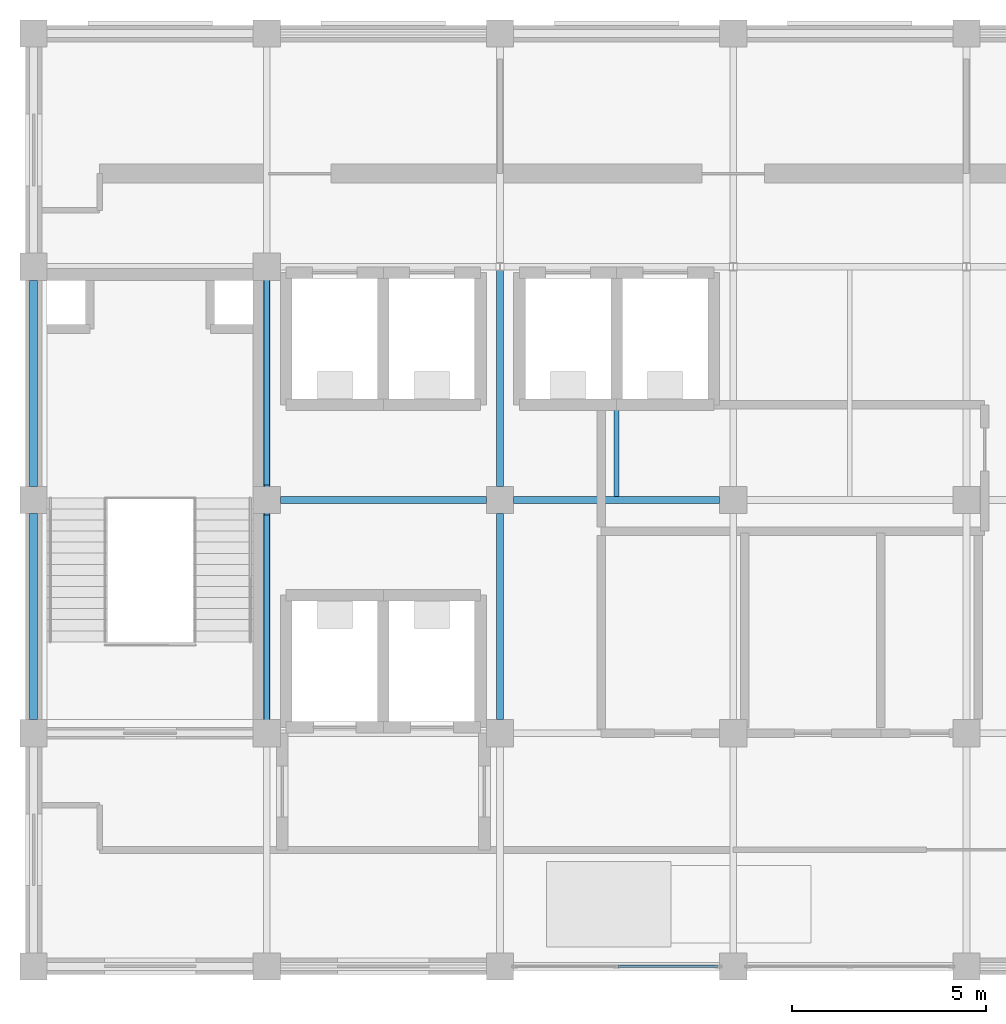
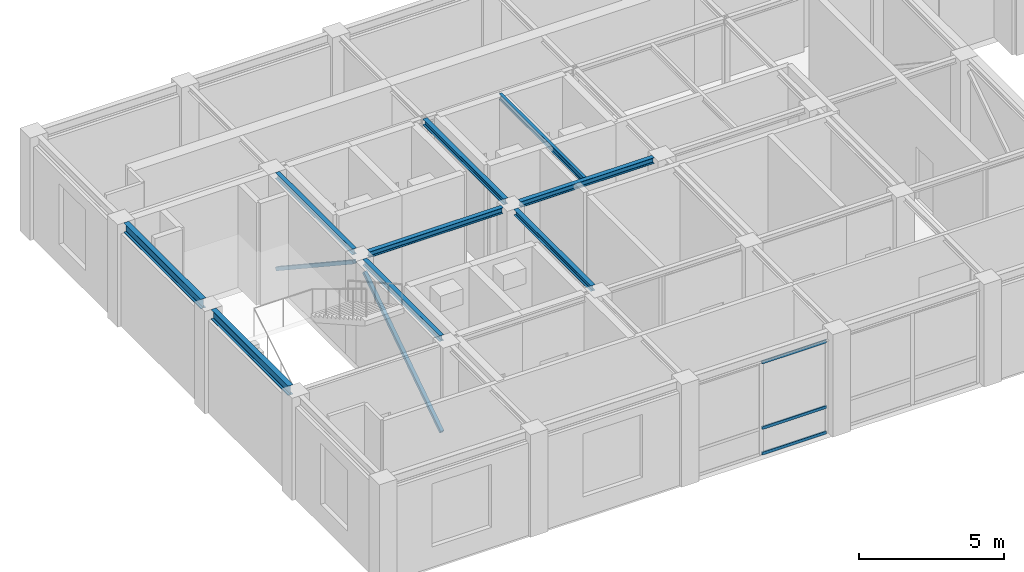
# One storey, part 5 of 11: 9 beams, 5 members, 1 element without a shape of its own.
"""IFC4 building model written with IfcOpenShell, lengths in metres."""

from ifc_helpers import new_model, si_unit, direction, frame, origin, origin_2d, place, context, subcontext, project, spatial, hollow_rectangle, i_section, extrude, material, layer, layer_set, material_profile, profile_set, type_object, element, aggregate, save


model = new_model("IFC4")

# Units and contexts
model_context = context("Model", 3, precision=1e-05, world=origin(), true_north=direction((0.0, 1.0)))
body_context = subcontext(model_context, "Body", "Model", "MODEL_VIEW")
ifc_project = project(units=[si_unit("LENGTHUNIT", "METRE"), si_unit("AREAUNIT", "SQUARE_METRE"), si_unit("VOLUMEUNIT", "CUBIC_METRE"), si_unit("PLANEANGLEUNIT", "RADIAN"), si_unit("MASSUNIT", "GRAM", prefix="KILO")], contexts=[model_context])

# Site, building, storey
site_placement = place(None, origin())
site = spatial("IfcSite", under=ifc_project, at=site_placement, CompositionType="ELEMENT")
building_placement = place(site_placement, origin())
building = spatial("IfcBuilding", under=site, at=building_placement, Name="Zlatovratsky Civic Hall", CompositionType="ELEMENT")
storey_placement = place(building_placement, frame((0.0, 0.0, 72.0)))
storey = spatial("IfcBuildingStorey", under=building, at=storey_placement, Name="L18", CompositionType="ELEMENT", Elevation=72.0)

# Beams
ifc_material_1 = material(Name="Steel S355", Category="steel")
ifc_material_profile_1 = material_profile(ifc_material_1, i_section(OverallWidth=0.175048828125, OverallDepth=0.243896484375, WebThickness=0.007080078125, FlangeThickness=0.010986328125, FilletRadius=0.01611328125, at=origin_2d()), Name="25Sh1")
ifc_profile_set_1 = profile_set([ifc_material_profile_1], Name="Steel S355")
beam_type_1 = type_object("IfcBeamType", Name="Beam_Crown_25Sh1", PredefinedType="BEAM", material=ifc_profile_set_1)
for number, where, z_axis, x_axis, name in (
    (1, (72.35009765625, 90.0, 4.177978515625), (1.0, 0.0, 0.0), (0.0, 1.0, 0.0), "BM-5263"),
    (2, (78.35009765625, 90.0, 4.177978515625), (1.0, 0.0, 0.0), (0.0, 1.0, 0.0), "BM-5264"),
    (3, (72.0, 84.35009765625, 4.177978515625), (0.0, 1.0, 0.0), (-1.0, 0.0, 0.0), "BM-5284"),
    (4, (72.0, 90.35009765625, 4.177978515625), (0.0, 1.0, 0.0), (-1.0, 0.0, 0.0), "BM-5285"),
    (5, (78.0, 84.35009765625, 4.177978515625), (0.0, 1.0, 0.0), (-1.0, 0.0, 0.0), "BM-5288"),
):
    element("IfcBeam", number, at=place(storey_placement, frame(where, z_axis=z_axis, x_axis=x_axis)), inside=storey, type_object=beam_type_1, Name=name, PredefinedType="BEAM", context=body_context, shape_type="SweptSolid", body=[
        extrude(i_section(OverallWidth=0.175048828125, OverallDepth=0.243896484375, WebThickness=0.007080078125, FlangeThickness=0.010986328125, FilletRadius=0.01611328125, at=origin_2d()), origin(), (0.0, 0.0, 1.0), 5.2998046875),
    ])
beam_1_placement = place(storey_placement, frame((78.0, 90.35009765625, 4.177978515625), z_axis=(0.0, 1.0, 0.0), x_axis=(-1.0, 0.0, 0.0)))
element("IfcBeam", 6, at=beam_1_placement, inside=storey, type_object=beam_type_1, Name="BM-5289", PredefinedType="BEAM", context=body_context, shape_type="SweptSolid", body=[
    extrude(i_section(OverallWidth=0.175048828125, OverallDepth=0.243896484375, WebThickness=0.007080078125, FlangeThickness=0.010986328125, FilletRadius=0.01611328125, at=origin_2d()), origin(), (0.0, 0.0, 1.0), 5.5498046875),
])
ifc_material_profile_2 = material_profile(ifc_material_1, i_section(OverallWidth=0.199951171875, OverallDepth=0.39990234375, WebThickness=0.008056640625, FlangeThickness=0.012939453125, FilletRadius=0.014892578125, at=origin_2d()), Name="40B2")
ifc_profile_set_2 = profile_set([ifc_material_profile_2], Name="Steel S355")
beam_type_2 = type_object("IfcBeamType", Name="Beam_Spandrel_40B2", PredefinedType="SPANDREL", material=ifc_profile_set_2)
for number, where, z_axis, x_axis, name in (
    (7, (66.0, 84.35009765625, 4.10009765625), (0.0, 1.0, 0.0), (-1.0, 0.0, 0.0), "BM-5280"),
    (8, (66.0, 90.35009765625, 4.10009765625), (0.0, 1.0, 0.0), (-1.0, 0.0, 0.0), "BM-5281"),
):
    element("IfcBeam", number, at=place(storey_placement, frame(where, z_axis=z_axis, x_axis=x_axis)), inside=storey, type_object=beam_type_2, Name=name, PredefinedType="SPANDREL", context=body_context, shape_type="SweptSolid", body=[
        extrude(i_section(OverallWidth=0.199951171875, OverallDepth=0.39990234375, WebThickness=0.008056640625, FlangeThickness=0.012939453125, FilletRadius=0.014892578125, at=origin_2d()), origin(), (0.0, 0.0, 1.0), 5.2998046875),
    ])

# Members
ifc_material_profile_3 = material_profile(ifc_material_1, hollow_rectangle(XDim=0.139892578125, YDim=0.139892578125, WallThickness=0.006103515625, at=origin_2d()), Name="SHS 140x140x6")
ifc_profile_set_3 = profile_set([ifc_material_profile_3], Name="Steel S355")
member_type_1 = type_object("IfcMemberType", Name="Brace_Crown_SHS140", PredefinedType="BRACE", material=ifc_profile_set_3)
for number, where, z_axis, x_axis, name in (
    (9, (72.0, 84.35009765625, 0.25), (0.0, 0.834455271211, 0.5510756757), (-1.0, 0.0, 0.0), "MB-0176"),
    (10, (72.0, 90.35009765625, 3.75), (0.0, 0.834455271211, -0.5510756757), (-1.0, 0.0, 0.0), "MB-0177"),
):
    element("IfcMember", number, at=place(storey_placement, frame(where, z_axis=z_axis, x_axis=x_axis)), inside=storey, type_object=member_type_1, Name=name, PredefinedType="BRACE", context=body_context, shape_type="SweptSolid", body=[
        extrude(hollow_rectangle(XDim=0.139892578125, YDim=0.139892578125, WallThickness=0.006103515625, at=origin_2d()), origin(), (0.0, 0.0, 1.0), 6.351318359375),
    ])

# Curtain wall, members
ifc_material_2 = material(Name="Anodised bronze aluminium", Category="aluminium")
ifc_layer = layer(ifc_material_2, 0.159912109375)
ifc_layer_set = layer_set([ifc_layer], Name="Anodised bronze aluminium")
curtain_wall_type = type_object("IfcCurtainWallType", Name="CurtainWall_Bronze_5300x3880_26", PredefinedType="NOTDEFINED", material=ifc_layer_set)
curtain_wall_placement = place(storey_placement, origin())
curtain_wall = element("IfcCurtainWall", 11, at=curtain_wall_placement, inside=storey, type_object=curtain_wall_type, Name="CW-181", PredefinedType="NOTDEFINED")
ifc_material_profile_4 = material_profile(ifc_material_2, hollow_rectangle(XDim=0.06005859375, YDim=0.1201171875, WallThickness=0.00390625, at=origin_2d()), Name="ALU 60x120x4")
ifc_profile_set_4 = profile_set([ifc_material_profile_4], Name="Anodised bronze aluminium")
member_type_2 = type_object("IfcMemberType", Name="CW_Transom_60x120", PredefinedType="USERDEFINED", material=ifc_profile_set_4)
member_1_placement = place(storey_placement, frame((81.030029296875, 78.0, 0.030029296875), z_axis=(1.0, 0.0, 0.0), x_axis=(0.0, 1.0, 0.0)))
member_1 = element("IfcMember", 12, at=member_1_placement, type_object=member_type_2, Name="CW-26 transom 2.1", ObjectType="TRANSOM", PredefinedType="USERDEFINED", context=body_context, shape_type="SweptSolid", body=[
    extrude(hollow_rectangle(XDim=0.06005859375, YDim=0.1201171875, WallThickness=0.00390625, at=origin_2d()), origin(), (0.0, 0.0, 1.0), 2.56005859375),
])
member_2_placement = place(storey_placement, frame((81.030029296875, 78.0, 1.10009765625), z_axis=(1.0, 0.0, 0.0), x_axis=(0.0, 1.0, 0.0)))
member_2 = element("IfcMember", 13, at=member_2_placement, type_object=member_type_2, Name="CW-26 transom 2.2", ObjectType="TRANSOM", PredefinedType="USERDEFINED", context=body_context, shape_type="SweptSolid", body=[
    extrude(hollow_rectangle(XDim=0.06005859375, YDim=0.1201171875, WallThickness=0.00390625, at=origin_2d()), origin(), (0.0, 0.0, 1.0), 2.56005859375),
])
member_3_placement = place(storey_placement, frame((81.030029296875, 78.0, 3.85009765625), z_axis=(1.0, 0.0, 0.0), x_axis=(0.0, 1.0, 0.0)))
member_3 = element("IfcMember", 14, at=member_3_placement, type_object=member_type_2, Name="CW-26 transom 2.3", ObjectType="TRANSOM", PredefinedType="USERDEFINED", context=body_context, shape_type="SweptSolid", body=[
    extrude(hollow_rectangle(XDim=0.06005859375, YDim=0.1201171875, WallThickness=0.00390625, at=origin_2d()), origin(), (0.0, 0.0, 1.0), 2.56005859375),
])
aggregate(curtain_wall, [member_1, member_2, member_3])

# Beam
ifc_material_profile_5 = material_profile(ifc_material_1, i_section(OverallWidth=0.1240234375, OverallDepth=0.248046875, WebThickness=0.0048828125, FlangeThickness=0.008056640625, FilletRadius=0.011962890625, at=origin_2d()), Name="25B1")
ifc_profile_set_5 = profile_set([ifc_material_profile_5], Name="Steel S355")
beam_type_3 = type_object("IfcBeamType", Name="Joist_Upper_25B1", PredefinedType="JOIST", material=ifc_profile_set_5)
beam_2_placement = place(storey_placement, frame((81.0, 90.08740234375, 4.176025390625), z_axis=(0.0, 1.0, 0.0), x_axis=(-1.0, 0.0, 0.0)))
element("IfcBeam", 15, at=beam_2_placement, inside=storey, type_object=beam_type_3, Name="BM-5307", PredefinedType="JOIST", context=body_context, shape_type="SweptSolid", body=[
    extrude(i_section(OverallWidth=0.1240234375, OverallDepth=0.248046875, WebThickness=0.0048828125, FlangeThickness=0.008056640625, FilletRadius=0.011962890625, at=origin_2d()), origin(), (0.0, 0.0, 1.0), 5.8251953125),
])

save(model, "model.ifc")
